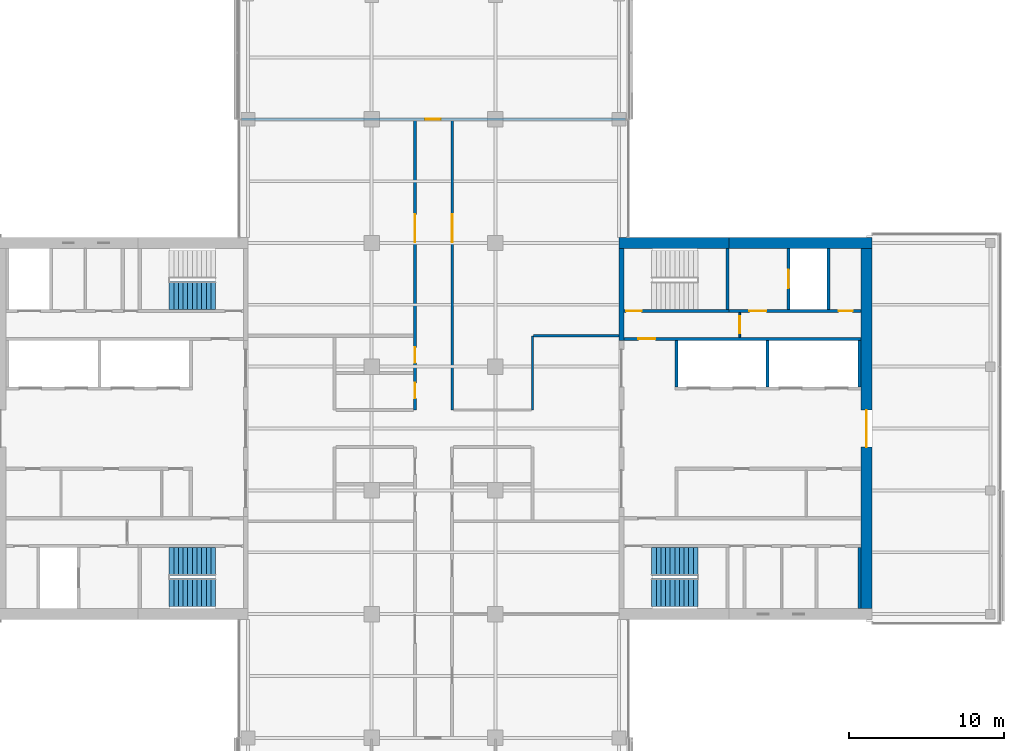
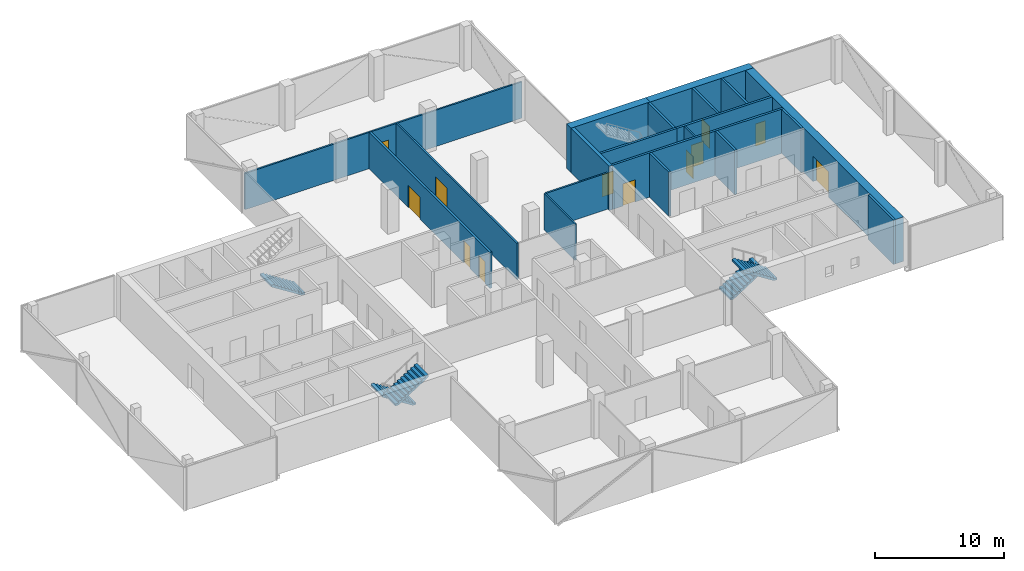
# One storey, part 16 of 22: 20 walls, 12 doors, 5 stair flights, 12 openings, 3 elements without a shape of their own.
"""IFC4 building model written with IfcOpenShell, lengths in metres."""

from ifc_helpers import new_model, si_unit, direction, frame, frame_2d, origin, place, context, subcontext, project, spatial, polyline, rectangle, outline, extrude, material, layer, layer_set, constituent, constituent_set, type_object, element, fill, aggregate, save


model = new_model("IFC4")

# Units and contexts
model_context = context("Model", 3, precision=1e-05, world=origin(), true_north=direction((0.0, 1.0)))
body_context = subcontext(model_context, "Body", "Model", "MODEL_VIEW")
ifc_project = project(units=[si_unit("LENGTHUNIT", "METRE"), si_unit("AREAUNIT", "SQUARE_METRE"), si_unit("VOLUMEUNIT", "CUBIC_METRE"), si_unit("PLANEANGLEUNIT", "RADIAN"), si_unit("MASSUNIT", "GRAM", prefix="KILO")], contexts=[model_context])

# Site, building, storey
site_placement = place(None, origin())
site = spatial("IfcSite", under=ifc_project, at=site_placement, CompositionType="ELEMENT")
building_placement = place(site_placement, origin())
building = spatial("IfcBuilding", under=site, at=building_placement, Name="Crosswind Convention Tower", CompositionType="ELEMENT")
storey_placement = place(building_placement, frame((0.0, 0.0, 125.300048828125)))
storey = spatial("IfcBuildingStorey", under=building, at=storey_placement, Name="L25", CompositionType="ELEMENT", Elevation=125.300048828125)

# Wall, openings, doors
ifc_material_1 = material(Name="Concrete blockwork", Category="masonry")
ifc_layer_1 = layer(ifc_material_1, 0.199951171875)
ifc_layer_set_1 = layer_set([ifc_layer_1], Name="COMPARTMENT WALL 200 BLOCKWORK")
wall_type_1 = type_object("IfcWallType", Name="COMPARTMENT WALL 200 BLOCKWORK", PredefinedType="SOLIDWALL", material=ifc_layer_set_1)
wall_1_placement = place(storey_placement, frame((123.800048828125, 101.199951171875, 0.0), z_axis=(0.0, 0.0, 1.0), x_axis=(0.0, 1.0, 0.0)))
wall_1 = element("IfcWall", 1, at=wall_1_placement, inside=storey, type_object=wall_type_1, Name="Compartment wall WT42", PredefinedType="SOLIDWALL", context=body_context, shape_type="SweptSolid", body=[
    extrude(rectangle(XDim=18.72509765625, YDim=0.199951171875, at=frame_2d((9.362548828125, 0.0))), origin(), (0.0, 0.0, 1.0), 3.436279296875),
])
opening_1_placement = place(wall_1_placement, frame((0.75, 0.0, 0.0)))
opening_1 = element("IfcOpeningElement", 2, at=opening_1_placement, cuts=wall_1, Name="Opening L25-55", PredefinedType="OPENING", context=body_context, shape_type="SweptSolid", body=[
    extrude(rectangle(XDim=1.0, YDim=2.10009765625, at=frame_2d((0.5, 1.050048828125))), frame((0.0, 0.10986328125, 0.0), z_axis=(0.0, -1.0, 0.0), x_axis=(1.0, 0.0, 0.0)), (0.0, 0.0, 1.0), 0.219970703125),
])
opening_2_placement = place(wall_1_placement, frame((3.050048828125, 0.0, 0.0)))
opening_2 = element("IfcOpeningElement", 3, at=opening_2_placement, cuts=wall_1, Name="Opening L25-56", PredefinedType="OPENING", context=body_context, shape_type="SweptSolid", body=[
    extrude(rectangle(XDim=1.0, YDim=2.10009765625, at=frame_2d((0.5, 1.050048828125))), frame((0.0, 0.10986328125, 0.0), z_axis=(0.0, -1.0, 0.0), x_axis=(1.0, 0.0, 0.0)), (0.0, 0.0, 1.0), 0.219970703125),
])
opening_3_placement = place(wall_1_placement, frame((10.85009765625, 0.0, 0.0)))
opening_3 = element("IfcOpeningElement", 4, at=opening_3_placement, cuts=wall_1, Name="Opening L25-57", PredefinedType="OPENING", context=body_context, shape_type="SweptSolid", body=[
    extrude(rectangle(XDim=1.800048828125, YDim=2.10009765625, at=frame_2d((0.89990234375, 1.050048828125))), frame((0.0, 0.10986328125, 0.0), z_axis=(0.0, -1.0, 0.0), x_axis=(1.0, 0.0, 0.0)), (0.0, 0.0, 1.0), 0.219970703125),
])
ifc_material_2 = material(Name="Steel fire door", Category="steel")
door_type_1 = type_object("IfcDoorType", Name="PLANT ROOM DOOR 1000X2100 FD60", OperationType="NOTDEFINED", PredefinedType="DOOR", material=ifc_material_2)
door_1_placement = place(opening_1_placement, origin())
door_1 = element("IfcDoor", 5, at=door_1_placement, inside=storey, type_object=door_type_1, Name="Door L25-55", ObjectType="D43", OperationType="SINGLE_SWING_RIGHT", OverallHeight=2.10009765625, OverallWidth=1.0, PredefinedType="DOOR", context=body_context, shape_type="SweptSolid", body=[
    extrude(rectangle(XDim=1.0, YDim=2.10009765625, at=frame_2d((0.5, 1.050048828125))), frame((0.0, 0.02490234375, 0.0), z_axis=(0.0, -1.0, 0.0), x_axis=(1.0, 0.0, 0.0)), (0.0, 0.0, 1.0), 0.050048828125),
])
fill(opening_1, door_1)
door_2_placement = place(opening_2_placement, origin())
door_2 = element("IfcDoor", 6, at=door_2_placement, inside=storey, type_object=door_type_1, Name="Door L25-56", ObjectType="D43", OperationType="SINGLE_SWING_LEFT", OverallHeight=2.10009765625, OverallWidth=1.0, PredefinedType="DOOR", context=body_context, shape_type="SweptSolid", body=[
    extrude(rectangle(XDim=1.0, YDim=2.10009765625, at=frame_2d((0.5, 1.050048828125))), frame((0.0, 0.02490234375, 0.0), z_axis=(0.0, -1.0, 0.0), x_axis=(1.0, 0.0, 0.0)), (0.0, 0.0, 1.0), 0.050048828125),
])
fill(opening_2, door_2)
ifc_material_3 = material(Name="Timber fire door", Category="wood")
door_type_2 = type_object("IfcDoorType", Name="TENANCY ENTRANCE DOUBLE DOOR 1800X2100 FD30S", OperationType="DOUBLE_DOOR_SINGLE_SWING", PredefinedType="DOOR", material=ifc_material_3)
door_3_placement = place(opening_3_placement, origin())
door_3 = element("IfcDoor", 7, at=door_3_placement, inside=storey, type_object=door_type_2, Name="Door L25-57", ObjectType="D42", OperationType="DOUBLE_DOOR_SINGLE_SWING", OverallHeight=2.10009765625, OverallWidth=1.800048828125, PredefinedType="DOOR", context=body_context, shape_type="SweptSolid", body=[
    extrude(rectangle(XDim=1.800048828125, YDim=2.10009765625, at=frame_2d((0.89990234375, 1.050048828125))), frame((0.0, 0.02490234375, 0.0), z_axis=(0.0, -1.0, 0.0), x_axis=(1.0, 0.0, 0.0)), (0.0, 0.0, 1.0), 0.050048828125),
])
fill(opening_3, door_3)

# Wall, opening, door
ifc_material_4 = material(Name="Concrete C60/75", Category="concrete")
ifc_layer_2 = layer(ifc_material_4, 0.699951171875)
ifc_layer_set_2 = layer_set([ifc_layer_2], Name="Concrete C60/75")
wall_type_2 = type_object("IfcWallType", Name="Concrete core wall 700", PredefinedType="SHEAR", material=ifc_layer_set_2)
wall_2_placement = place(storey_placement, frame((153.0, 88.35009765625, 0.0), z_axis=(0.0, 0.0, 1.0), x_axis=(0.0, 1.0, 0.0)))
wall_2 = element("IfcWall", 8, at=wall_2_placement, inside=storey, type_object=wall_type_2, Name="Wall O E L25", PredefinedType="SHEAR", context=body_context, shape_type="SweptSolid", body=[
    extrude(rectangle(XDim=23.2998046875, YDim=0.699951171875, at=frame_2d((11.64990234375, 0.0))), origin(), (0.0, 0.0, 1.0), 4.199951171875),
])
opening_4_placement = place(wall_2_placement, frame((10.449951171875, 0.0, 0.0)))
opening_4 = element("IfcOpeningElement", 9, at=opening_4_placement, cuts=wall_2, Name="Opening D100", PredefinedType="OPENING", context=body_context, shape_type="SweptSolid", body=[
    extrude(rectangle(XDim=2.39990234375, YDim=2.39990234375, at=frame_2d((1.199951171875, 1.199951171875))), frame((0.0, 0.35986328125, 0.0), z_axis=(0.0, -1.0, 0.0), x_axis=(1.0, 0.0, 0.0)), (0.0, 0.0, 1.0), 0.719970703125),
])
ifc_material_5 = material(Name="Steel fire door with glazed vision panels", Category="steel")
door_type_3 = type_object("IfcDoorType", Name="Fire-rated double door 2400x2400", OperationType="DOUBLE_DOOR_SINGLE_SWING", PredefinedType="DOOR", material=ifc_material_5)
door_4_placement = place(opening_4_placement, frame((2.39990234375, 0.0, 0.0), z_axis=(0.0, 0.0, 1.0), x_axis=(-1.0, 0.0, 0.0)))
door_4 = element("IfcDoor", 10, at=door_4_placement, inside=storey, type_object=door_type_3, Name="Lobby outer door L25", ObjectType="D100", OperationType="DOUBLE_DOOR_SINGLE_SWING", OverallHeight=2.39990234375, OverallWidth=2.39990234375, PredefinedType="DOOR", context=body_context, shape_type="SweptSolid", body=[
    extrude(rectangle(XDim=2.39990234375, YDim=2.39990234375, at=frame_2d((1.199951171875, 1.199951171875))), frame((0.0, 0.02490234375, 0.0), z_axis=(0.0, -1.0, 0.0), x_axis=(1.0, 0.0, 0.0)), (0.0, 0.0, 1.0), 0.050048828125),
])
fill(opening_4, door_4)

# Walls
ifc_material_6 = material(Name="Concrete C50/60", Category="concrete")
ifc_layer_3 = layer(ifc_material_6, 0.300048828125)
ifc_layer_set_3 = layer_set([ifc_layer_3], Name="Concrete C50/60")
wall_type_3 = type_object("IfcWallType", Name="Concrete inner core wall 300", PredefinedType="SHEAR", material=ifc_layer_set_3)
wall_3_placement = place(storey_placement, frame((137.14990234375, 105.699951171875, 0.0), z_axis=(0.0, 0.0, 1.0), x_axis=(0.0, 1.0, 0.0)))
element("IfcWall", 11, at=wall_3_placement, inside=storey, type_object=wall_type_3, Name="Wall EP E L25", PredefinedType="SHEAR", context=body_context, shape_type="SweptSolid", body=[
    extrude(rectangle(XDim=5.949951171875, YDim=0.300048828125, at=frame_2d((2.97509765625, 0.0))), origin(), (0.0, 0.0, 1.0), 4.199951171875),
])
ifc_layer_4 = layer(ifc_material_6, 0.199951171875)
ifc_layer_set_4 = layer_set([ifc_layer_4], Name="Concrete C50/60")
wall_type_4 = type_object("IfcWallType", Name="Concrete shaft and stair wall 200", PredefinedType="SHEAR", material=ifc_layer_set_4)
for number, where, z_axis, x_axis, name in (
    (12, (140.699951171875, 102.699951171875, 0.0), (0.0, 0.0, 1.0), (0.0, 1.0, 0.0), "Wall RPEND E L25"),
    (13, (146.60009765625, 102.699951171875, 0.0), (0.0, 0.0, 1.0), (0.0, 1.0, 0.0), "Wall RPSEP E L25"),
    (14, (152.550048828125, 102.699951171875, 0.0), (0.0, 0.0, 1.0), (0.0, 1.0, 0.0), "Wall RPEAST E L25"),
):
    element("IfcWall", number, at=place(storey_placement, frame(where, z_axis=z_axis, x_axis=x_axis)), inside=storey, type_object=wall_type_4, Name=name, PredefinedType="SHEAR", context=body_context, shape_type="SweptSolid", body=[
        extrude(rectangle(XDim=3.0, YDim=0.199951171875, at=frame_2d((1.5, 0.0))), origin(), (0.0, 0.0, 1.0), 4.199951171875),
    ])

# Wall, opening, door
wall_4_placement = place(storey_placement, frame((137.300048828125, 105.800048828125, 0.0), z_axis=(0.0, 0.0, 1.0), x_axis=(1.0, 0.0, 0.0)))
wall_4 = element("IfcWall", 15, at=wall_4_placement, inside=storey, type_object=wall_type_4, Name="Wall HP E L25", PredefinedType="SHEAR", context=body_context, shape_type="SweptSolid", body=[
    extrude(rectangle(XDim=15.349853515625, YDim=0.199951171875, at=frame_2d((7.6748046875, 0.0))), origin(), (0.0, 0.0, 1.0), 4.199951171875),
])
opening_5_placement = place(wall_4_placement, frame((0.949951171875, 0.0, 0.0)))
opening_5 = element("IfcOpeningElement", 16, at=opening_5_placement, cuts=wall_4, Name="Opening D104", PredefinedType="OPENING", context=body_context, shape_type="SweptSolid", body=[
    extrude(rectangle(XDim=1.10009765625, YDim=2.10009765625, at=frame_2d((0.550048828125, 1.050048828125))), frame((0.0, 0.10986328125, 0.0), z_axis=(0.0, -1.0, 0.0), x_axis=(1.0, 0.0, 0.0)), (0.0, 0.0, 1.0), 0.219970703125),
])
door_type_4 = type_object("IfcDoorType", Name="Fire-rated single door 1100x2100", OperationType="NOTDEFINED", PredefinedType="DOOR", material=ifc_material_2)
door_5_placement = place(opening_5_placement, origin())
door_5 = element("IfcDoor", 17, at=door_5_placement, inside=storey, type_object=door_type_4, Name="Corridor door L25", ObjectType="D104", OperationType="SINGLE_SWING_LEFT", OverallHeight=2.10009765625, OverallWidth=1.10009765625, PredefinedType="DOOR", context=body_context, shape_type="SweptSolid", body=[
    extrude(rectangle(XDim=1.10009765625, YDim=2.10009765625, at=frame_2d((0.550048828125, 1.050048828125))), frame((0.0, 0.02490234375, 0.0), z_axis=(0.0, -1.0, 0.0), x_axis=(1.0, 0.0, 0.0)), (0.0, 0.0, 1.0), 0.050048828125),
])
fill(opening_5, door_5)

# Wall
wall_5_placement = place(storey_placement, frame((144.0, 107.699951171875, 0.0), z_axis=(0.0, 0.0, 1.0), x_axis=(0.0, 1.0, 0.0)))
element("IfcWall", 18, at=wall_5_placement, inside=storey, type_object=wall_type_4, Name="Wall PSE E L25", PredefinedType="SHEAR", context=body_context, shape_type="SweptSolid", body=[
    extrude(rectangle(XDim=3.949951171875, YDim=0.199951171875, at=frame_2d((1.97509765625, 0.0))), origin(), (0.0, 0.0, 1.0), 4.199951171875),
])

# Wall, opening, door
wall_6_placement = place(storey_placement, frame((147.949951171875, 107.699951171875, 0.0), z_axis=(0.0, 0.0, 1.0), x_axis=(0.0, 1.0, 0.0)))
wall_6 = element("IfcWall", 19, at=wall_6_placement, inside=storey, type_object=wall_type_4, Name="Wall PFLW E L25", PredefinedType="SHEAR", context=body_context, shape_type="SweptSolid", body=[
    extrude(rectangle(XDim=3.949951171875, YDim=0.199951171875, at=frame_2d((1.97509765625, 0.0))), origin(), (0.0, 0.0, 1.0), 4.199951171875),
])
opening_6_placement = place(wall_6_placement, frame((1.375, 0.0, 0.0)))
opening_6 = element("IfcOpeningElement", 20, at=opening_6_placement, cuts=wall_6, Name="Opening LD1", PredefinedType="OPENING", context=body_context, shape_type="SweptSolid", body=[
    extrude(rectangle(XDim=1.199951171875, YDim=2.10009765625, at=frame_2d((0.60009765625, 1.050048828125))), frame((0.0, 0.10986328125, 0.0), z_axis=(0.0, -1.0, 0.0), x_axis=(1.0, 0.0, 0.0)), (0.0, 0.0, 1.0), 0.219970703125),
])
ifc_material_7 = material(Name="Stainless steel", Category="steel")
door_type_5 = type_object("IfcDoorType", Name="Lift landing door 1200x2100", OperationType="DOUBLE_DOOR_SLIDING", PredefinedType="DOOR", material=ifc_material_7)
door_6_placement = place(opening_6_placement, origin())
door_6 = element("IfcDoor", 21, at=door_6_placement, inside=storey, type_object=door_type_5, Name="Landing door FF1 L25", ObjectType="LD1", OperationType="DOUBLE_DOOR_SLIDING", OverallHeight=2.10009765625, OverallWidth=1.199951171875, PredefinedType="DOOR", context=body_context, shape_type="SweptSolid", body=[
    extrude(rectangle(XDim=1.199951171875, YDim=2.10009765625, at=frame_2d((0.60009765625, 1.050048828125))), frame((0.0, 0.02490234375, 0.0), z_axis=(0.0, -1.0, 0.0), x_axis=(1.0, 0.0, 0.0)), (0.0, 0.0, 1.0), 0.050048828125),
])
fill(opening_6, door_6)

# Wall
wall_7_placement = place(storey_placement, frame((150.550048828125, 107.699951171875, 0.0), z_axis=(0.0, 0.0, 1.0), x_axis=(0.0, 1.0, 0.0)))
element("IfcWall", 22, at=wall_7_placement, inside=storey, type_object=wall_type_4, Name="Wall PFSE E L25", PredefinedType="SHEAR", context=body_context, shape_type="SweptSolid", body=[
    extrude(rectangle(XDim=3.949951171875, YDim=0.199951171875, at=frame_2d((1.97509765625, 0.0))), origin(), (0.0, 0.0, 1.0), 4.199951171875),
])

# Wall, opening, door
wall_8_placement = place(storey_placement, frame((137.300048828125, 107.60009765625, 0.0), z_axis=(0.0, 0.0, 1.0), x_axis=(1.0, 0.0, 0.0)))
wall_8 = element("IfcWall", 23, at=wall_8_placement, inside=storey, type_object=wall_type_4, Name="Wall PCW E L25", PredefinedType="SHEAR", context=body_context, shape_type="SweptSolid", body=[
    extrude(rectangle(XDim=6.800048828125, YDim=0.199951171875, at=frame_2d((3.39990234375, 0.0))), origin(), (0.0, 0.0, 1.0), 4.199951171875),
])
opening_7_placement = place(wall_8_placement, frame((0.14990234375, 0.0, 0.0)))
opening_7 = element("IfcOpeningElement", 24, at=opening_7_placement, cuts=wall_8, Name="Opening D103", PredefinedType="OPENING", context=body_context, shape_type="SweptSolid", body=[
    extrude(rectangle(XDim=1.0, YDim=2.10009765625, at=frame_2d((0.5, 1.050048828125))), frame((0.0, 0.10986328125, 0.0), z_axis=(0.0, -1.0, 0.0), x_axis=(1.0, 0.0, 0.0)), (0.0, 0.0, 1.0), 0.219970703125),
])
door_type_6 = type_object("IfcDoorType", Name="Fire-rated single door 1000x2100", OperationType="NOTDEFINED", PredefinedType="DOOR", material=ifc_material_2)
door_7_placement = place(opening_7_placement, origin())
door_7 = element("IfcDoor", 25, at=door_7_placement, inside=storey, type_object=door_type_6, Name="Stair ST1 door L25", ObjectType="D103", OperationType="SINGLE_SWING_LEFT", OverallHeight=2.10009765625, OverallWidth=1.0, PredefinedType="DOOR", context=body_context, shape_type="SweptSolid", body=[
    extrude(rectangle(XDim=1.0, YDim=2.10009765625, at=frame_2d((0.5, 1.050048828125))), frame((0.0, 0.02490234375, 0.0), z_axis=(0.0, -1.0, 0.0), x_axis=(1.0, 0.0, 0.0)), (0.0, 0.0, 1.0), 0.050048828125),
])
fill(opening_7, door_7)

# Wall, openings, doors
wall_9_placement = place(storey_placement, frame((144.10009765625, 107.60009765625, 0.0), z_axis=(0.0, 0.0, 1.0), x_axis=(1.0, 0.0, 0.0)))
wall_9 = element("IfcWall", 26, at=wall_9_placement, inside=storey, type_object=wall_type_4, Name="Wall PCX E L25", PredefinedType="SHEAR", context=body_context, shape_type="SweptSolid", body=[
    extrude(rectangle(XDim=8.5498046875, YDim=0.199951171875, at=frame_2d((4.27490234375, 0.0))), origin(), (0.0, 0.0, 1.0), 4.199951171875),
])
opening_8_placement = place(wall_9_placement, frame((1.324951171875, 0.0, 0.0)))
opening_8 = element("IfcOpeningElement", 27, at=opening_8_placement, cuts=wall_9, Name="Opening D104", PredefinedType="OPENING", context=body_context, shape_type="SweptSolid", body=[
    extrude(rectangle(XDim=1.10009765625, YDim=2.10009765625, at=frame_2d((0.550048828125, 1.050048828125))), frame((0.0, 0.10986328125, 0.0), z_axis=(0.0, -1.0, 0.0), x_axis=(1.0, 0.0, 0.0)), (0.0, 0.0, 1.0), 0.219970703125),
])
opening_9_placement = place(wall_9_placement, frame((7.10009765625, 0.0, 0.0)))
opening_9 = element("IfcOpeningElement", 28, at=opening_9_placement, cuts=wall_9, Name="Opening D106", PredefinedType="OPENING", context=body_context, shape_type="SweptSolid", body=[
    extrude(rectangle(XDim=0.89990234375, YDim=2.10009765625, at=frame_2d((0.449951171875, 1.050048828125))), frame((0.0, 0.10986328125, 0.0), z_axis=(0.0, -1.0, 0.0), x_axis=(1.0, 0.0, 0.0)), (0.0, 0.0, 1.0), 0.219970703125),
])
door_8_placement = place(opening_8_placement, origin())
door_8 = element("IfcDoor", 29, at=door_8_placement, inside=storey, type_object=door_type_4, Name="Fire-fighting lobby FF1 door L25", ObjectType="D104", OperationType="SINGLE_SWING_RIGHT", OverallHeight=2.10009765625, OverallWidth=1.10009765625, PredefinedType="DOOR", context=body_context, shape_type="SweptSolid", body=[
    extrude(rectangle(XDim=1.10009765625, YDim=2.10009765625, at=frame_2d((0.550048828125, 1.050048828125))), frame((0.0, 0.02490234375, 0.0), z_axis=(0.0, -1.0, 0.0), x_axis=(1.0, 0.0, 0.0)), (0.0, 0.0, 1.0), 0.050048828125),
])
fill(opening_8, door_8)
ifc_material_8 = material(Name="Timber door", Category="wood")
door_type_7 = type_object("IfcDoorType", Name="Single leaf door 900x2100", OperationType="NOTDEFINED", PredefinedType="DOOR", material=ifc_material_8)
door_9_placement = place(opening_9_placement, origin())
door_9 = element("IfcDoor", 30, at=door_9_placement, inside=storey, type_object=door_type_7, Name="Door to electrical room L25", ObjectType="D106", OperationType="SINGLE_SWING_RIGHT", OverallHeight=2.10009765625, OverallWidth=0.89990234375, PredefinedType="DOOR", context=body_context, shape_type="SweptSolid", body=[
    extrude(rectangle(XDim=0.89990234375, YDim=2.10009765625, at=frame_2d((0.449951171875, 1.050048828125))), frame((0.0, 0.02490234375, 0.0), z_axis=(0.0, -1.0, 0.0), x_axis=(1.0, 0.0, 0.0)), (0.0, 0.0, 1.0), 0.050048828125),
])
fill(opening_9, door_9)

# Wall
wall_10_placement = place(storey_placement, frame((152.550048828125, 88.35009765625, 0.0), z_axis=(0.0, 0.0, 1.0), x_axis=(0.0, 1.0, 0.0)))
element("IfcWall", 31, at=wall_10_placement, inside=storey, type_object=wall_type_4, Name="Wall MFSE E L25", PredefinedType="SHEAR", context=body_context, shape_type="SweptSolid", body=[
    extrude(rectangle(XDim=3.949951171875, YDim=0.199951171875, at=frame_2d((1.97509765625, 0.0))), origin(), (0.0, 0.0, 1.0), 4.199951171875),
])

# Wall, opening, door
ifc_material_9 = material(Name="Gypsum plasterboard partition", Category="gypsum")
ifc_layer_5 = layer(ifc_material_9, 0.125)
ifc_layer_set_5 = layer_set([ifc_layer_5], Name="Drywall partition wall 125")
wall_type_5 = type_object("IfcWallType", Name="Drywall partition wall 125", PredefinedType="PARTITIONING", material=ifc_layer_set_5)
wall_11_placement = place(storey_placement, frame((144.800048828125, 105.89990234375, 0.0), z_axis=(0.0, 0.0, 1.0), x_axis=(0.0, 1.0, 0.0)))
wall_11 = element("IfcWall", 32, at=wall_11_placement, inside=storey, type_object=wall_type_5, Name="Wall PXC1 E L25", PredefinedType="PARTITIONING", context=body_context, shape_type="SweptSolid", body=[
    extrude(rectangle(XDim=1.60009765625, YDim=0.125, at=frame_2d((0.800048828125, 0.0))), origin(), (0.0, 0.0, 1.0), 4.199951171875),
])
opening_10_placement = place(wall_11_placement, frame((0.25, 0.0, 0.0)))
opening_10 = element("IfcOpeningElement", 33, at=opening_10_placement, cuts=wall_11, Name="Opening D104", PredefinedType="OPENING", context=body_context, shape_type="SweptSolid", body=[
    extrude(rectangle(XDim=1.10009765625, YDim=2.10009765625, at=frame_2d((0.550048828125, 1.050048828125))), frame((0.0, 0.072509765625, 0.0), z_axis=(0.0, -1.0, 0.0), x_axis=(1.0, 0.0, 0.0)), (0.0, 0.0, 1.0), 0.14501953125),
])
door_10_placement = place(opening_10_placement, origin())
door_10 = element("IfcDoor", 34, at=door_10_placement, inside=storey, type_object=door_type_4, Name="Corridor smoke door L25", ObjectType="D104", OperationType="SINGLE_SWING_RIGHT", OverallHeight=2.10009765625, OverallWidth=1.10009765625, PredefinedType="DOOR", context=body_context, shape_type="SweptSolid", body=[
    extrude(rectangle(XDim=1.10009765625, YDim=2.10009765625, at=frame_2d((0.550048828125, 1.050048828125))), frame((0.0, 0.02490234375, 0.0), z_axis=(0.0, -1.0, 0.0), x_axis=(1.0, 0.0, 0.0)), (0.0, 0.0, 1.0), 0.050048828125),
])
fill(opening_10, door_10)

ifc_material_10 = material(Name="Fire-board partition with mineral wool", Category="gypsum")
ifc_layer_6 = layer(ifc_material_10, 0.14990234375)
ifc_layer_set_6 = layer_set([ifc_layer_6], Name="TENANCY WALL 150 TWO-HOUR BOARD")
wall_type_6 = type_object("IfcWallType", Name="TENANCY WALL 150 TWO-HOUR BOARD", PredefinedType="PARTITIONING", material=ifc_layer_set_6)
wall_12_placement = place(storey_placement, frame((126.199951171875, 101.199951171875, 0.0), z_axis=(0.0, 0.0, 1.0), x_axis=(0.0, 1.0, 0.0)))
wall_12 = element("IfcWall", 35, at=wall_12_placement, inside=storey, type_object=wall_type_6, Name="Tenancy wall WT41", PredefinedType="PARTITIONING", context=body_context, shape_type="SweptSolid", body=[
    extrude(rectangle(XDim=18.72509765625, YDim=0.14990234375, at=frame_2d((9.362548828125, 0.0))), origin(), (0.0, 0.0, 1.0), 3.436279296875),
])
opening_11_placement = place(wall_12_placement, frame((10.85009765625, 0.0, 0.0)))
opening_11 = element("IfcOpeningElement", 36, at=opening_11_placement, cuts=wall_12, Name="Opening L25-50", PredefinedType="OPENING", context=body_context, shape_type="SweptSolid", body=[
    extrude(rectangle(XDim=1.800048828125, YDim=2.10009765625, at=frame_2d((0.89990234375, 1.050048828125))), frame((0.0, 0.0849609375, 0.0), z_axis=(0.0, -1.0, 0.0), x_axis=(1.0, 0.0, 0.0)), (0.0, 0.0, 1.0), 0.169921875),
])
door_11_placement = place(opening_11_placement, frame((1.800048828125, 0.0, 0.0), z_axis=(0.0, 0.0, 1.0), x_axis=(-1.0, 0.0, 0.0)))
door_11 = element("IfcDoor", 37, at=door_11_placement, inside=storey, type_object=door_type_2, Name="Door L25-50", ObjectType="D42", OperationType="DOUBLE_DOOR_SINGLE_SWING", OverallHeight=2.10009765625, OverallWidth=1.800048828125, PredefinedType="DOOR", context=body_context, shape_type="SweptSolid", body=[
    extrude(rectangle(XDim=1.800048828125, YDim=2.10009765625, at=frame_2d((0.89990234375, 1.050048828125))), frame((0.0, 0.02490234375, 0.0), z_axis=(0.0, -1.0, 0.0), x_axis=(1.0, 0.0, 0.0)), (0.0, 0.0, 1.0), 0.050048828125),
])
fill(opening_11, door_11)

# Walls
wall_13_placement = place(storey_placement, frame((131.39990234375, 101.199951171875, 0.0), z_axis=(0.0, 0.0, 1.0), x_axis=(0.0, 1.0, 0.0)))
element("IfcWall", 38, at=wall_13_placement, inside=storey, type_object=wall_type_6, Name="Tenancy wall WT41", PredefinedType="PARTITIONING", context=body_context, shape_type="SweptSolid", body=[
    extrude(rectangle(XDim=4.800048828125, YDim=0.14990234375, at=frame_2d((2.39990234375, 0.0))), origin(), (0.0, 0.0, 1.0), 3.436279296875),
])
wall_14_placement = place(storey_placement, frame((131.47509765625, 106.0, 0.0), z_axis=(0.0, 0.0, 1.0), x_axis=(1.0, 0.0, 0.0)))
element("IfcWall", 39, at=wall_14_placement, inside=storey, type_object=wall_type_6, Name="Tenancy wall WT41", PredefinedType="PARTITIONING", context=body_context, shape_type="SweptSolid", body=[
    extrude(rectangle(XDim=5.52490234375, YDim=0.14990234375, at=frame_2d((2.762451171875, 0.0))), origin(), (0.0, 0.0, 1.0), 3.436279296875),
])

# Wall, opening, door
wall_15_placement = place(storey_placement, frame((112.580078125, 120.0, 0.0), z_axis=(0.0, 0.0, 1.0), x_axis=(1.0, 0.0, 0.0)))
wall_15 = element("IfcWall", 40, at=wall_15_placement, inside=storey, type_object=wall_type_6, Name="Tenancy wall WT41", PredefinedType="PARTITIONING", context=body_context, shape_type="SweptSolid", body=[
    extrude(rectangle(XDim=24.83984375, YDim=0.14990234375, at=frame_2d((12.419921875, 0.0))), origin(), (0.0, 0.0, 1.0), 3.436279296875),
])
opening_12_placement = place(wall_15_placement, frame((11.8701171875, 0.0, 0.0)))
opening_12 = element("IfcOpeningElement", 41, at=opening_12_placement, cuts=wall_15, Name="Opening L25-61", PredefinedType="OPENING", context=body_context, shape_type="SweptSolid", body=[
    extrude(rectangle(XDim=1.0, YDim=2.10009765625, at=frame_2d((0.5, 1.050048828125))), frame((0.0, 0.0849609375, 0.0), z_axis=(0.0, -1.0, 0.0), x_axis=(1.0, 0.0, 0.0)), (0.0, 0.0, 1.0), 0.169921875),
])
door_type_8 = type_object("IfcDoorType", Name="TENANCY ENTRANCE DOOR 1000X2100 FD30S", OperationType="NOTDEFINED", PredefinedType="DOOR", material=ifc_material_3)
door_12_placement = place(opening_12_placement, origin())
door_12 = element("IfcDoor", 42, at=door_12_placement, inside=storey, type_object=door_type_8, Name="Door L25-61", ObjectType="D41", OperationType="SINGLE_SWING_LEFT", OverallHeight=2.10009765625, OverallWidth=1.0, PredefinedType="DOOR", context=body_context, shape_type="SweptSolid", body=[
    extrude(rectangle(XDim=1.0, YDim=2.10009765625, at=frame_2d((0.5, 1.050048828125))), frame((0.0, 0.02490234375, 0.0), z_axis=(0.0, -1.0, 0.0), x_axis=(1.0, 0.0, 0.0)), (0.0, 0.0, 1.0), 0.050048828125),
])
fill(opening_12, door_12)

# Walls
ifc_constituent_1 = constituent(ifc_material_4, Name="Structure")
ifc_material_11 = material(Name="Terracotta rainscreen", Category="ceramic")
ifc_constituent_2 = constituent(ifc_material_11, Name="Facing")
ifc_constituent_set = constituent_set(constituents=[ifc_constituent_1, ifc_constituent_2], Name="Concrete C60/75, Terracotta rainscreen")
wall_type_7 = type_object("IfcWallType", Name="Terracotta rainscreen on concrete core wall 700", PredefinedType="SHEAR", material=ifc_constituent_set)
wall_16_placement = place(storey_placement, frame((137.0, 112.0, 0.0), z_axis=(0.0, 0.0, 1.0), x_axis=(1.0, 0.0, 0.0)))
element("IfcWall", 43, at=wall_16_placement, inside=storey, type_object=wall_type_7, Name="Wall N1 E L25", PredefinedType="SHEAR", context=body_context, shape_type="SweptSolid", body=[
    extrude(rectangle(XDim=7.10009765625, YDim=0.699951171875, at=frame_2d((3.550048828125, 0.0))), origin(), (0.0, 0.0, 1.0), 4.199951171875),
])
wall_17_placement = place(storey_placement, frame((144.10009765625, 112.0, 0.0), z_axis=(0.0, 0.0, 1.0), x_axis=(1.0, 0.0, 0.0)))
element("IfcWall", 44, at=wall_17_placement, inside=storey, type_object=wall_type_7, Name="Wall N2 E L25", PredefinedType="SHEAR", context=body_context, shape_type="SweptSolid", body=[
    extrude(rectangle(XDim=9.25, YDim=0.699951171875, at=frame_2d((4.625, 0.0))), origin(), (0.0, 0.0, 1.0), 4.199951171875),
])

# Stair, stair flights
ifc_material_12 = material(Name="Concrete C40/50", Category="concrete")
stair_type = type_object("IfcStairType", Name="Exit stair 1800 wide, 2 flights of 11 risers", PredefinedType="HALF_TURN_STAIR", material=ifc_material_12)
stair_1_placement = place(storey_placement, origin())
stair_1 = element("IfcStair", 45, at=stair_1_placement, inside=storey, type_object=stair_type, Name="Exit stair ST2 L25", ObjectType="ST5", PredefinedType="HALF_TURN_STAIR")
stair_flight_type = type_object("IfcStairFlightType", Name="Stair flight 1800 wide, 11 risers (SF4)", PredefinedType="STRAIGHT", material=ifc_material_12)
stair_flight_1_placement = place(storey_placement, frame((139.10009765625, 91.39990234375, 0.0), z_axis=(0.0, 0.0, 1.0), x_axis=(1.0, 0.0, 0.0)))
stair_flight_1 = element("IfcStairFlight", 46, at=stair_flight_1_placement, type_object=stair_flight_type, Name="ST2 flight 1", NumberOfRisers=11, NumberOfTreads=10, PredefinedType="STRAIGHT", RiserHeight=0.190909091, TreadLength=0.3, context=body_context, shape_type="SweptSolid", body=[
    extrude(outline(polyline([(0.0, 0.0), (0.0, 0.19091796875), (0.300048828125, 0.19091796875), (0.300048828125, 0.3818359375), (0.60009765625, 0.3818359375), (0.60009765625, 0.57275390625), (0.89990234375, 0.57275390625), (0.89990234375, 0.763671875), (1.199951171875, 0.763671875), (1.199951171875, 0.95458984375), (1.5, 0.95458984375), (1.5, 1.1455078125), (1.800048828125, 1.1455078125), (1.800048828125, 1.33642578125), (2.10009765625, 1.33642578125), (2.10009765625, 1.52734375), (2.39990234375, 1.52734375), (2.39990234375, 1.71826171875), (2.699951171875, 1.71826171875), (2.699951171875, 1.9091796875), (3.0, 1.9091796875), (3.0, 2.10009765625), (3.0, 1.7314453125), (0.279296875, 0.0), (0.0, 0.0)])), frame((0.0, 0.89990234375, 0.0), z_axis=(0.0, -1.0, 0.0), x_axis=(1.0, 0.0, 0.0)), (0.0, 0.0, 1.0), 1.800048828125),
])
stair_flight_2_placement = place(storey_placement, frame((142.10009765625, 89.39990234375, 2.099853515625), z_axis=(0.0, 0.0, 1.0), x_axis=(-1.0, 0.0, 0.0)))
stair_flight_2 = element("IfcStairFlight", 47, at=stair_flight_2_placement, type_object=stair_flight_type, Name="ST2 flight 2", NumberOfRisers=11, NumberOfTreads=10, PredefinedType="STRAIGHT", RiserHeight=0.190909091, TreadLength=0.3, context=body_context, shape_type="SweptSolid", body=[
    extrude(outline(polyline([(0.0, 0.0), (0.0, 0.19091796875), (0.300048828125, 0.19091796875), (0.300048828125, 0.3818359375), (0.60009765625, 0.3818359375), (0.60009765625, 0.57275390625), (0.89990234375, 0.57275390625), (0.89990234375, 0.763671875), (1.199951171875, 0.763671875), (1.199951171875, 0.95458984375), (1.5, 0.95458984375), (1.5, 1.1455078125), (1.800048828125, 1.1455078125), (1.800048828125, 1.33642578125), (2.10009765625, 1.33642578125), (2.10009765625, 1.52734375), (2.39990234375, 1.52734375), (2.39990234375, 1.71826171875), (2.699951171875, 1.71826171875), (2.699951171875, 1.9091796875), (3.0, 1.9091796875), (3.0, 2.10009765625), (3.0, 1.7314453125), (0.279296875, 0.0), (0.0, 0.0)])), frame((0.0, 0.89990234375, 0.0), z_axis=(0.0, -1.0, 0.0), x_axis=(1.0, 0.0, 0.0)), (0.0, 0.0, 1.0), 1.800048828125),
])
aggregate(stair_1, [stair_flight_1, stair_flight_2])

stair_2_placement = place(storey_placement, origin())
stair_2 = element("IfcStair", 48, at=stair_2_placement, inside=storey, type_object=stair_type, Name="Exit stair ST3 L25", ObjectType="ST5", PredefinedType="HALF_TURN_STAIR")
stair_flight_3_placement = place(storey_placement, frame((110.89990234375, 91.39990234375, 0.0), z_axis=(0.0, 0.0, 1.0), x_axis=(-1.0, 0.0, 0.0)))
stair_flight_3 = element("IfcStairFlight", 49, at=stair_flight_3_placement, type_object=stair_flight_type, Name="ST3 flight 1", NumberOfRisers=11, NumberOfTreads=10, PredefinedType="STRAIGHT", RiserHeight=0.190909091, TreadLength=0.3, context=body_context, shape_type="SweptSolid", body=[
    extrude(outline(polyline([(0.0, 0.0), (0.0, 0.19091796875), (0.300048828125, 0.19091796875), (0.300048828125, 0.3818359375), (0.60009765625, 0.3818359375), (0.60009765625, 0.57275390625), (0.89990234375, 0.57275390625), (0.89990234375, 0.763671875), (1.199951171875, 0.763671875), (1.199951171875, 0.95458984375), (1.5, 0.95458984375), (1.5, 1.1455078125), (1.800048828125, 1.1455078125), (1.800048828125, 1.33642578125), (2.10009765625, 1.33642578125), (2.10009765625, 1.52734375), (2.39990234375, 1.52734375), (2.39990234375, 1.71826171875), (2.699951171875, 1.71826171875), (2.699951171875, 1.9091796875), (3.0, 1.9091796875), (3.0, 2.10009765625), (3.0, 1.7314453125), (0.279296875, 0.0), (0.0, 0.0)])), frame((0.0, 0.89990234375, 0.0), z_axis=(0.0, -1.0, 0.0), x_axis=(1.0, 0.0, 0.0)), (0.0, 0.0, 1.0), 1.800048828125),
])
stair_flight_4_placement = place(storey_placement, frame((107.89990234375, 89.39990234375, 2.099853515625), z_axis=(0.0, 0.0, 1.0), x_axis=(1.0, 0.0, 0.0)))
stair_flight_4 = element("IfcStairFlight", 50, at=stair_flight_4_placement, type_object=stair_flight_type, Name="ST3 flight 2", NumberOfRisers=11, NumberOfTreads=10, PredefinedType="STRAIGHT", RiserHeight=0.190909091, TreadLength=0.3, context=body_context, shape_type="SweptSolid", body=[
    extrude(outline(polyline([(0.0, 0.0), (0.0, 0.19091796875), (0.300048828125, 0.19091796875), (0.300048828125, 0.3818359375), (0.60009765625, 0.3818359375), (0.60009765625, 0.57275390625), (0.89990234375, 0.57275390625), (0.89990234375, 0.763671875), (1.199951171875, 0.763671875), (1.199951171875, 0.95458984375), (1.5, 0.95458984375), (1.5, 1.1455078125), (1.800048828125, 1.1455078125), (1.800048828125, 1.33642578125), (2.10009765625, 1.33642578125), (2.10009765625, 1.52734375), (2.39990234375, 1.52734375), (2.39990234375, 1.71826171875), (2.699951171875, 1.71826171875), (2.699951171875, 1.9091796875), (3.0, 1.9091796875), (3.0, 2.10009765625), (3.0, 1.7314453125), (0.279296875, 0.0), (0.0, 0.0)])), frame((0.0, 0.89990234375, 0.0), z_axis=(0.0, -1.0, 0.0), x_axis=(1.0, 0.0, 0.0)), (0.0, 0.0, 1.0), 1.800048828125),
])
aggregate(stair_2, [stair_flight_3, stair_flight_4])

# Stair, stair flight
stair_3_placement = place(storey_placement, origin())
stair_3 = element("IfcStair", 51, at=stair_3_placement, inside=storey, type_object=stair_type, Name="Exit stair ST4 L25", ObjectType="ST5", PredefinedType="HALF_TURN_STAIR")
stair_flight_5_placement = place(storey_placement, frame((110.89990234375, 108.60009765625, 0.0), z_axis=(0.0, 0.0, 1.0), x_axis=(-1.0, 0.0, 0.0)))
stair_flight_5 = element("IfcStairFlight", 52, at=stair_flight_5_placement, type_object=stair_flight_type, Name="ST4 flight 1", NumberOfRisers=11, NumberOfTreads=10, PredefinedType="STRAIGHT", RiserHeight=0.190909091, TreadLength=0.3, context=body_context, shape_type="SweptSolid", body=[
    extrude(outline(polyline([(0.0, 0.0), (0.0, 0.19091796875), (0.300048828125, 0.19091796875), (0.300048828125, 0.3818359375), (0.60009765625, 0.3818359375), (0.60009765625, 0.57275390625), (0.89990234375, 0.57275390625), (0.89990234375, 0.763671875), (1.199951171875, 0.763671875), (1.199951171875, 0.95458984375), (1.5, 0.95458984375), (1.5, 1.1455078125), (1.800048828125, 1.1455078125), (1.800048828125, 1.33642578125), (2.10009765625, 1.33642578125), (2.10009765625, 1.52734375), (2.39990234375, 1.52734375), (2.39990234375, 1.71826171875), (2.699951171875, 1.71826171875), (2.699951171875, 1.9091796875), (3.0, 1.9091796875), (3.0, 2.10009765625), (3.0, 1.7314453125), (0.279296875, 0.0), (0.0, 0.0)])), frame((0.0, 0.89990234375, 0.0), z_axis=(0.0, -1.0, 0.0), x_axis=(1.0, 0.0, 0.0)), (0.0, 0.0, 1.0), 1.800048828125),
])
aggregate(stair_3, [stair_flight_5])

save(model, "model.ifc")
